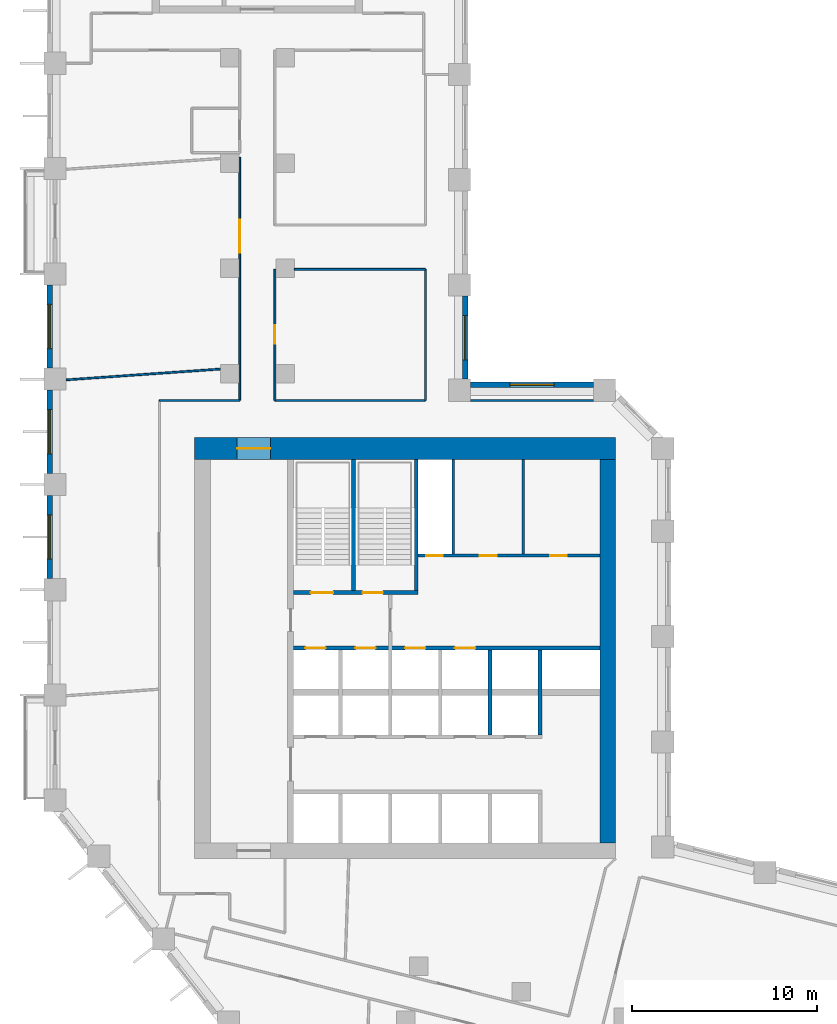
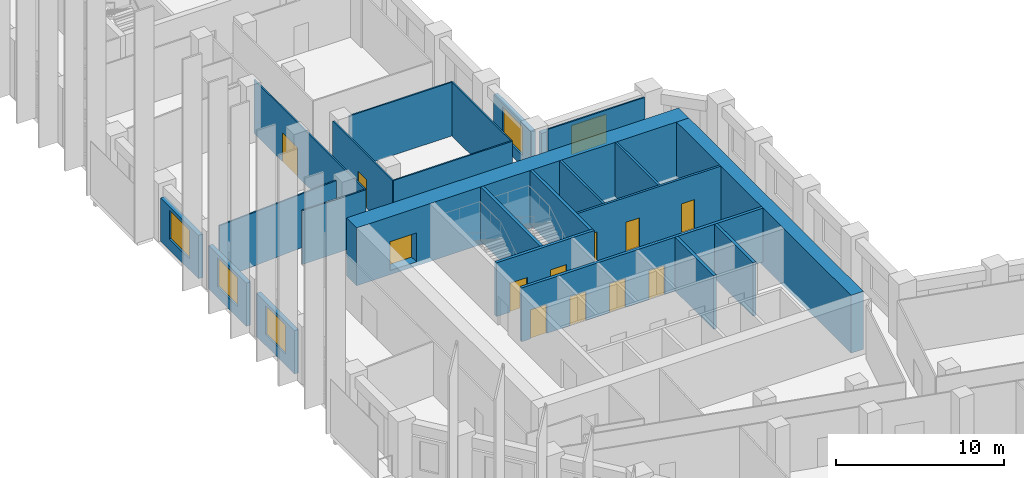
# One storey, part 5 of 10: 24 walls, 12 doors, 5 windows, 17 openings.
"""IFC4 building model written with IfcOpenShell, lengths in metres."""

from ifc_helpers import new_model, si_unit, direction, frame, frame_2d, origin, place, context, subcontext, project, spatial, rectangle, extrude, material, layer, layer_set, type_object, element, fill, save


model = new_model("IFC4")

# Units and contexts
model_context = context("Model", 3, precision=1e-05, world=origin(), true_north=direction((0.0, 1.0)))
body_context = subcontext(model_context, "Body", "Model", "MODEL_VIEW")
ifc_project = project(units=[si_unit("LENGTHUNIT", "METRE"), si_unit("AREAUNIT", "SQUARE_METRE"), si_unit("VOLUMEUNIT", "CUBIC_METRE"), si_unit("PLANEANGLEUNIT", "RADIAN"), si_unit("MASSUNIT", "GRAM", prefix="KILO")], contexts=[model_context])

# Site, building, storey
site_placement = place(None, origin())
site = spatial("IfcSite", under=ifc_project, at=site_placement, CompositionType="ELEMENT")
building_placement = place(site_placement, origin())
building = spatial("IfcBuilding", under=site, at=building_placement, Name="Meshkara Civic Tower", CompositionType="ELEMENT")
storey_placement = place(building_placement, frame((0.0, 0.0, 161.39990234375)))
storey = spatial("IfcBuildingStorey", under=building, at=storey_placement, Name="L36", CompositionType="ELEMENT", Elevation=161.39990234375)

# Wall, openings, doors
ifc_material_1 = material(Name="Blockwork", Category="masonry")
ifc_layer_1 = layer(ifc_material_1, 0.14990234375)
ifc_layer_set_1 = layer_set([ifc_layer_1], Name="Core partition 150")
wall_type_1 = type_object("IfcWallType", Name="Core partition 150", PredefinedType="PARTITIONING", material=ifc_layer_set_1)
wall_1_placement = place(storey_placement, frame((20.10009765625, 30.5, 0.0), z_axis=(0.0, 0.0, 1.0), x_axis=(1.0, 0.0, 0.0)))
wall_1 = element("IfcWall", 1, at=wall_1_placement, inside=storey, type_object=wall_type_1, Name="L36-C010", PredefinedType="PARTITIONING", context=body_context, shape_type="SweptSolid", body=[
    extrude(rectangle(XDim=9.849853515625, YDim=0.14990234375, at=frame_2d((4.9248046875, 0.0))), origin(), (0.0, 0.0, 1.0), 3.900146484375),
])
opening_1_placement = place(wall_1_placement, frame((0.449951171875, 0.0, 0.0)))
opening_1 = element("IfcOpeningElement", 2, at=opening_1_placement, cuts=wall_1, Name="Opening L36-K010", PredefinedType="OPENING", context=body_context, shape_type="SweptSolid", body=[
    extrude(rectangle(XDim=0.89990234375, YDim=2.10009765625, at=frame_2d((0.449951171875, 1.050048828125))), frame((0.0, 0.0849609375, 0.0), z_axis=(0.0, -1.0, 0.0), x_axis=(1.0, 0.0, 0.0)), (0.0, 0.0, 1.0), 0.169921875),
])
opening_2_placement = place(wall_1_placement, frame((3.35009765625, 0.0, 0.0)))
opening_2 = element("IfcOpeningElement", 3, at=opening_2_placement, cuts=wall_1, Name="Opening L36-K011", PredefinedType="OPENING", context=body_context, shape_type="SweptSolid", body=[
    extrude(rectangle(XDim=0.89990234375, YDim=2.10009765625, at=frame_2d((0.449951171875, 1.050048828125))), frame((0.0, 0.0849609375, 0.0), z_axis=(0.0, -1.0, 0.0), x_axis=(1.0, 0.0, 0.0)), (0.0, 0.0, 1.0), 0.169921875),
])
opening_3_placement = place(wall_1_placement, frame((7.14990234375, 0.0, 0.0)))
opening_3 = element("IfcOpeningElement", 4, at=opening_3_placement, cuts=wall_1, Name="Opening L36-K012", PredefinedType="OPENING", context=body_context, shape_type="SweptSolid", body=[
    extrude(rectangle(XDim=0.89990234375, YDim=2.10009765625, at=frame_2d((0.449951171875, 1.050048828125))), frame((0.0, 0.0849609375, 0.0), z_axis=(0.0, -1.0, 0.0), x_axis=(1.0, 0.0, 0.0)), (0.0, 0.0, 1.0), 0.169921875),
])
ifc_material_2 = material(Name="Timber door leaf in steel frame", Category="steel")
door_type_1 = type_object("IfcDoorType", Name="Core room door 900", OperationType="SINGLE_SWING_LEFT", PredefinedType="DOOR", material=ifc_material_2)
door_1_placement = place(opening_2_placement, origin())
door_1 = element("IfcDoor", 5, at=door_1_placement, inside=storey, type_object=door_type_1, Name="L36-K011", OperationType="SINGLE_SWING_RIGHT", OverallHeight=2.10009765625, OverallWidth=0.89990234375, PredefinedType="DOOR", context=body_context, shape_type="SweptSolid", body=[
    extrude(rectangle(XDim=0.89990234375, YDim=2.10009765625, at=frame_2d((0.449951171875, 1.050048828125))), frame((0.0, 0.02490234375, 0.0), z_axis=(0.0, -1.0, 0.0), x_axis=(1.0, 0.0, 0.0)), (0.0, 0.0, 1.0), 0.050048828125),
])
fill(opening_2, door_1)
ifc_material_3 = material(Name="Fire-rated door leaf in steel frame", Category="steel")
door_type_2 = type_object("IfcDoorType", Name="Riser door 900", OperationType="SINGLE_SWING_LEFT", PredefinedType="DOOR", material=ifc_material_3)
door_2_placement = place(opening_1_placement, origin())
door_2 = element("IfcDoor", 6, at=door_2_placement, inside=storey, type_object=door_type_2, Name="L36-K010", OperationType="SINGLE_SWING_RIGHT", OverallHeight=2.10009765625, OverallWidth=0.89990234375, PredefinedType="DOOR", context=body_context, shape_type="SweptSolid", body=[
    extrude(rectangle(XDim=0.89990234375, YDim=2.10009765625, at=frame_2d((0.449951171875, 1.050048828125))), frame((0.0, 0.02490234375, 0.0), z_axis=(0.0, -1.0, 0.0), x_axis=(1.0, 0.0, 0.0)), (0.0, 0.0, 1.0), 0.050048828125),
])
fill(opening_1, door_2)
ifc_material_4 = material(Name="Timber door leaf in steel frame", Category="steel")
door_type_3 = type_object("IfcDoorType", Name="WC door 900", OperationType="SINGLE_SWING_LEFT", PredefinedType="DOOR", material=ifc_material_4)
door_3_placement = place(opening_3_placement, origin())
door_3 = element("IfcDoor", 7, at=door_3_placement, inside=storey, type_object=door_type_3, Name="L36-K012", OperationType="SINGLE_SWING_LEFT", OverallHeight=2.10009765625, OverallWidth=0.89990234375, PredefinedType="DOOR", context=body_context, shape_type="SweptSolid", body=[
    extrude(rectangle(XDim=0.89990234375, YDim=2.10009765625, at=frame_2d((0.449951171875, 1.050048828125))), frame((0.0, 0.02490234375, 0.0), z_axis=(0.0, -1.0, 0.0), x_axis=(1.0, 0.0, 0.0)), (0.0, 0.0, 1.0), 0.050048828125),
])
fill(opening_3, door_3)

# Walls
for number, where, z_axis, x_axis, name in (
    (8, (22.0, 30.574951171875, 0.0), (0.0, 0.0, 1.0), (0.0, 1.0, 0.0), "L36-C020"),
    (9, (25.800048828125, 30.574951171875, 0.0), (0.0, 0.0, 1.0), (0.0, 1.0, 0.0), "L36-C023"),
):
    element("IfcWall", number, at=place(storey_placement, frame(where, z_axis=z_axis, x_axis=x_axis)), inside=storey, type_object=wall_type_1, Name=name, PredefinedType="PARTITIONING", context=body_context, shape_type="SweptSolid", body=[
        extrude(rectangle(XDim=5.125, YDim=0.14990234375, at=frame_2d((2.5625, 0.0))), origin(), (0.0, 0.0, 1.0), 3.900146484375),
    ])

# Wall, opening, door
ifc_material_5 = material(Name="Concrete C70", Category="concrete")
ifc_layer_2 = layer(ifc_material_5, 1.199951171875)
ifc_layer_set_2 = layer_set([ifc_layer_2], Name="Core ring wall 1200 C70")
wall_type_2 = type_object("IfcWallType", Name="Core ring wall 1200 C70", PredefinedType="SHEAR", material=ifc_layer_set_2)
wall_2_placement = place(storey_placement, frame((8.0, 36.300048828125, -0.2998046875), z_axis=(0.0, 0.0, 1.0), x_axis=(1.0, 0.0, 0.0)))
wall_2 = element("IfcWall", 10, at=wall_2_placement, inside=storey, type_object=wall_type_2, Name="L36-C002", PredefinedType="SHEAR", context=body_context, shape_type="SweptSolid", body=[
    extrude(rectangle(XDim=22.800048828125, YDim=1.199951171875, at=frame_2d((11.39990234375, 0.0))), origin(), (0.0, 0.0, 1.0), 4.199951171875),
])
opening_4_placement = place(wall_2_placement, frame((2.300048828125, 0.0, 0.300048828125)))
opening_4 = element("IfcOpeningElement", 11, at=opening_4_placement, cuts=wall_2, Name="Opening L36-K018", PredefinedType="OPENING", context=body_context, shape_type="SweptSolid", body=[
    extrude(rectangle(XDim=1.800048828125, YDim=2.10009765625, at=frame_2d((0.89990234375, 1.050048828125))), frame((0.0, 0.60986328125, 0.0), z_axis=(0.0, -1.0, 0.0), x_axis=(1.0, 0.0, 0.0)), (0.0, 0.0, 1.0), 1.219970703125),
])
ifc_material_6 = material(Name="Fire-rated door leaf in steel frame", Category="steel")
door_type_4 = type_object("IfcDoorType", Name="Core double door 1800 EI 60", OperationType="DOUBLE_DOOR_SINGLE_SWING", PredefinedType="DOOR", material=ifc_material_6)
door_4_placement = place(opening_4_placement, origin())
door_4 = element("IfcDoor", 12, at=door_4_placement, inside=storey, type_object=door_type_4, Name="L36-K018", OperationType="DOUBLE_DOOR_SINGLE_SWING", OverallHeight=2.10009765625, OverallWidth=1.800048828125, PredefinedType="DOOR", context=body_context, shape_type="SweptSolid", body=[
    extrude(rectangle(XDim=1.800048828125, YDim=2.10009765625, at=frame_2d((0.89990234375, 1.050048828125))), frame((0.0, 0.02490234375, 0.0), z_axis=(0.0, -1.0, 0.0), x_axis=(1.0, 0.0, 0.0)), (0.0, 0.0, 1.0), 0.050048828125),
])
fill(opening_4, door_4)

# Wall
ifc_material_7 = material(Name="Concrete C70", Category="concrete")
ifc_layer_3 = layer(ifc_material_7, 0.85009765625)
ifc_layer_set_3 = layer_set([ifc_layer_3], Name="Core ring wall 850 C70")
wall_type_3 = type_object("IfcWallType", Name="Core ring wall 850 C70", PredefinedType="SHEAR", material=ifc_layer_set_3)
wall_3_placement = place(storey_placement, frame((30.375, 14.949951171875, -0.2998046875), z_axis=(0.0, 0.0, 1.0), x_axis=(0.0, 1.0, 0.0)))
element("IfcWall", 13, at=wall_3_placement, inside=storey, type_object=wall_type_3, Name="L36-C004", PredefinedType="SHEAR", context=body_context, shape_type="SweptSolid", body=[
    extrude(rectangle(XDim=20.75, YDim=0.85009765625, at=frame_2d((10.375, 0.0))), origin(), (0.0, 0.0, 1.0), 4.199951171875),
])

# Wall, opening, door
ifc_material_8 = material(Name="Corridor wall 100")
ifc_layer_4 = layer(ifc_material_8, 0.10009765625)
ifc_layer_set_4 = layer_set([ifc_layer_4], Name="Corridor wall 100")
wall_type_4 = type_object("IfcWallType", Name="Corridor wall 100", PredefinedType="PARTITIONING", material=ifc_layer_set_4)
wall_4_placement = place(storey_placement, frame((10.449951171875, 38.89990234375, 0.0), z_axis=(0.0, 0.0, 1.0), x_axis=(0.0, 1.0, 0.0)))
wall_4 = element("IfcWall", 14, at=wall_4_placement, inside=storey, type_object=wall_type_4, Name="L36-W011", PredefinedType="PARTITIONING", context=body_context, shape_type="SweptSolid", body=[
    extrude(rectangle(XDim=13.174072265625, YDim=0.10009765625, at=frame_2d((6.5869140625, 0.0))), origin(), (0.0, 0.0, 1.0), 3.900146484375),
])
opening_5_placement = place(wall_4_placement, frame((7.993896484375, 0.0, 0.0)))
opening_5 = element("IfcOpeningElement", 15, at=opening_5_placement, cuts=wall_4, Name="Opening L36-D017", PredefinedType="OPENING", context=body_context, shape_type="SweptSolid", body=[
    extrude(rectangle(XDim=1.800048828125, YDim=2.10009765625, at=frame_2d((0.89990234375, 1.050048828125))), frame((0.0, 0.06005859375, 0.0), z_axis=(0.0, -1.0, 0.0), x_axis=(1.0, 0.0, 0.0)), (0.0, 0.0, 1.0), 0.1201171875),
])
ifc_material_9 = material(Name="Door pair 1800 x 2100")
door_type_5 = type_object("IfcDoorType", Name="Door pair 1800 x 2100", OperationType="SINGLE_SWING_LEFT", PredefinedType="DOOR", material=ifc_material_9)
door_5_placement = place(opening_5_placement, origin())
door_5 = element("IfcDoor", 16, at=door_5_placement, inside=storey, type_object=door_type_5, Name="L36-D017", OperationType="DOUBLE_DOOR_SINGLE_SWING", OverallHeight=2.10009765625, OverallWidth=1.800048828125, PredefinedType="DOOR", context=body_context, shape_type="SweptSolid", body=[
    extrude(rectangle(XDim=1.800048828125, YDim=2.10009765625, at=frame_2d((0.89990234375, 1.050048828125))), frame((0.0, 0.02490234375, 0.0), z_axis=(0.0, -1.0, 0.0), x_axis=(1.0, 0.0, 0.0)), (0.0, 0.0, 1.0), 0.050048828125),
])
fill(opening_5, door_5)

# Wall
wall_5_placement = place(storey_placement, frame((10.449951171875, 38.89990234375, 0.0), z_axis=(0.0, 0.0, 1.0), x_axis=(-1.0, 0.0, 0.0)))
element("IfcWall", 17, at=wall_5_placement, inside=storey, type_object=wall_type_4, Name="L36-W012", PredefinedType="PARTITIONING", context=body_context, shape_type="SweptSolid", body=[
    extrude(rectangle(XDim=4.349853515625, YDim=0.10009765625, at=frame_2d((2.1748046875, 0.0))), origin(), (0.0, 0.0, 1.0), 3.900146484375),
])

# Wall, opening, door
wall_6_placement = place(storey_placement, frame((12.35009765625, 38.89990234375, 0.0), z_axis=(0.0, 0.0, 1.0), x_axis=(0.0, 1.0, 0.0)))
wall_6 = element("IfcWall", 18, at=wall_6_placement, inside=storey, type_object=wall_type_4, Name="L36-W014", PredefinedType="PARTITIONING", context=body_context, shape_type="SweptSolid", body=[
    extrude(rectangle(XDim=7.09619140625, YDim=0.10009765625, at=frame_2d((3.548095703125, 0.0))), origin(), (0.0, 0.0, 1.0), 3.900146484375),
])
opening_6_placement = place(wall_6_placement, frame((3.080078125, 0.0, 0.0)))
opening_6 = element("IfcOpeningElement", 19, at=opening_6_placement, cuts=wall_6, Name="Opening L36-D018", PredefinedType="OPENING", context=body_context, shape_type="SweptSolid", body=[
    extrude(rectangle(XDim=1.0, YDim=2.10009765625, at=frame_2d((0.5, 1.050048828125))), frame((0.0, 0.06005859375, 0.0), z_axis=(0.0, -1.0, 0.0), x_axis=(1.0, 0.0, 0.0)), (0.0, 0.0, 1.0), 0.1201171875),
])
ifc_material_10 = material(Name="Door 1000 x 2100")
door_type_6 = type_object("IfcDoorType", Name="Door 1000 x 2100", OperationType="SINGLE_SWING_LEFT", PredefinedType="DOOR", material=ifc_material_10)
door_6_placement = place(opening_6_placement, origin())
door_6 = element("IfcDoor", 20, at=door_6_placement, inside=storey, type_object=door_type_6, Name="L36-D018", OperationType="SINGLE_SWING_LEFT", OverallHeight=2.10009765625, OverallWidth=1.0, PredefinedType="DOOR", context=body_context, shape_type="SweptSolid", body=[
    extrude(rectangle(XDim=1.0, YDim=2.10009765625, at=frame_2d((0.5, 1.050048828125))), frame((0.0, 0.02490234375, 0.0), z_axis=(0.0, -1.0, 0.0), x_axis=(1.0, 0.0, 0.0)), (0.0, 0.0, 1.0), 0.050048828125),
])
fill(opening_6, door_6)

# Walls
wall_7_placement = place(storey_placement, frame((13.39990234375, 46.0, 0.0), z_axis=(0.0, 0.0, 1.0), x_axis=(1.0, 0.0, 0.0)))
element("IfcWall", 21, at=wall_7_placement, inside=storey, type_object=wall_type_4, Name="L36-W017", PredefinedType="PARTITIONING", context=body_context, shape_type="SweptSolid", body=[
    extrude(rectangle(XDim=7.10009765625, YDim=0.10009765625, at=frame_2d((3.550048828125, 0.0))), origin(), (0.0, 0.0, 1.0), 3.900146484375),
])
wall_8_placement = place(storey_placement, frame((20.5, 38.89990234375, 0.0), z_axis=(0.0, 0.0, 1.0), x_axis=(-1.0, 0.0, 0.0)))
element("IfcWall", 22, at=wall_8_placement, inside=storey, type_object=wall_type_4, Name="L36-W021", PredefinedType="PARTITIONING", context=body_context, shape_type="SweptSolid", body=[
    extrude(rectangle(XDim=8.14990234375, YDim=0.10009765625, at=frame_2d((4.074951171875, 0.0))), origin(), (0.0, 0.0, 1.0), 3.900146484375),
])
wall_9_placement = place(storey_placement, frame((20.5, 46.0, 0.0), z_axis=(0.0, 0.0, 1.0), x_axis=(0.0, -1.0, 0.0)))
element("IfcWall", 23, at=wall_9_placement, inside=storey, type_object=wall_type_4, Name="L36-W022", PredefinedType="PARTITIONING", context=body_context, shape_type="SweptSolid", body=[
    extrude(rectangle(XDim=7.10009765625, YDim=0.10009765625, at=frame_2d((3.550048828125, 0.0))), origin(), (0.0, 0.0, 1.0), 3.900146484375),
])
wall_10_placement = place(storey_placement, frame((29.593994140625, 38.89990234375, 0.0), z_axis=(0.0, 0.0, 1.0), x_axis=(-1.0, 0.0, 0.0)))
element("IfcWall", 24, at=wall_10_placement, inside=storey, type_object=wall_type_4, Name="L36-W026", PredefinedType="PARTITIONING", context=body_context, shape_type="SweptSolid", body=[
    extrude(rectangle(XDim=6.64404296875, YDim=0.10009765625, at=frame_2d((3.322021484375, 0.0))), origin(), (0.0, 0.0, 1.0), 3.900146484375),
])

# Wall, opening, window
ifc_material_11 = material(Name="Insulated infill panel with bronze anodised aluminium cladding", Category="aluminium")
ifc_layer_5 = layer(ifc_material_11, 0.300048828125)
ifc_layer_set_5 = layer_set([ifc_layer_5], Name="EXTERNAL INFILL WALL 300")
wall_type_5 = type_object("IfcWallType", Name="EXTERNAL INFILL WALL 300", PredefinedType="SOLIDWALL", material=ifc_layer_set_5)
wall_11_placement = place(storey_placement, frame((29.593994140625, 39.75, 0.0), z_axis=(0.0, 0.0, 1.0), x_axis=(-1.0, 0.0, 0.0)))
wall_11 = element("IfcWall", 25, at=wall_11_placement, inside=storey, type_object=wall_type_5, Name="External wall", PredefinedType="SOLIDWALL", context=body_context, shape_type="SweptSolid", body=[
    extrude(rectangle(XDim=6.64404296875, YDim=0.300048828125, at=frame_2d((3.322021484375, 0.0))), origin(), (0.0, 0.0, 1.0), 3.150146484375),
])
opening_7_placement = place(wall_11_placement, frame((2.1220703125, 0.0, 0.800048828125)))
opening_7 = element("IfcOpeningElement", 26, at=opening_7_placement, cuts=wall_11, Name="Opening W7", PredefinedType="OPENING", context=body_context, shape_type="SweptSolid", body=[
    extrude(rectangle(XDim=2.39990234375, YDim=2.10009765625, at=frame_2d((1.199951171875, 1.050048828125))), frame((0.0, 0.159912109375, 0.0), z_axis=(0.0, -1.0, 0.0), x_axis=(1.0, 0.0, 0.0)), (0.0, 0.0, 1.0), 0.320068359375),
])
ifc_material_12 = material(Name="Tinted double glazing", Category="glass")
window_type = type_object("IfcWindowType", Name="WINDOW 2400x2100", PartitioningType="DOUBLE_PANEL_VERTICAL", PredefinedType="WINDOW", material=ifc_material_12)
window_1_placement = place(opening_7_placement, origin())
window_1 = element("IfcWindow", 27, at=window_1_placement, inside=storey, type_object=window_type, Name="Window", OverallHeight=2.10009765625, OverallWidth=2.39990234375, PartitioningType="DOUBLE_PANEL_VERTICAL", PredefinedType="WINDOW", context=body_context, shape_type="SweptSolid", body=[
    extrude(rectangle(XDim=2.39990234375, YDim=2.10009765625, at=frame_2d((1.199951171875, 1.050048828125))), frame((0.0, 0.030029296875, 0.0), z_axis=(0.0, -1.0, 0.0), x_axis=(1.0, 0.0, 0.0)), (0.0, 0.0, 1.0), 0.06005859375),
])
fill(opening_7, window_1)

wall_12_placement = place(storey_placement, frame((22.64990234375, 40.050048828125, 0.0), z_axis=(0.0, 0.0, 1.0), x_axis=(0.0, 1.0, 0.0)))
wall_12 = element("IfcWall", 28, at=wall_12_placement, inside=storey, type_object=wall_type_5, Name="External wall", PredefinedType="SOLIDWALL", context=body_context, shape_type="SweptSolid", body=[
    extrude(rectangle(XDim=4.5, YDim=0.300048828125, at=frame_2d((2.25, 0.0))), origin(), (0.0, 0.0, 1.0), 3.150146484375),
])
opening_8_placement = place(wall_12_placement, frame((1.050048828125, 0.0, 0.800048828125)))
opening_8 = element("IfcOpeningElement", 29, at=opening_8_placement, cuts=wall_12, Name="Opening W7", PredefinedType="OPENING", context=body_context, shape_type="SweptSolid", body=[
    extrude(rectangle(XDim=2.39990234375, YDim=2.10009765625, at=frame_2d((1.199951171875, 1.050048828125))), frame((0.0, 0.159912109375, 0.0), z_axis=(0.0, -1.0, 0.0), x_axis=(1.0, 0.0, 0.0)), (0.0, 0.0, 1.0), 0.320068359375),
])
window_2_placement = place(opening_8_placement, origin())
window_2 = element("IfcWindow", 30, at=window_2_placement, inside=storey, type_object=window_type, Name="Window", OverallHeight=2.10009765625, OverallWidth=2.39990234375, PartitioningType="DOUBLE_PANEL_VERTICAL", PredefinedType="WINDOW", context=body_context, shape_type="SweptSolid", body=[
    extrude(rectangle(XDim=2.39990234375, YDim=2.10009765625, at=frame_2d((1.199951171875, 1.050048828125))), frame((0.0, 0.030029296875, 0.0), z_axis=(0.0, -1.0, 0.0), x_axis=(1.0, 0.0, 0.0)), (0.0, 0.0, 1.0), 0.06005859375),
])
fill(opening_8, window_2)

wall_13_placement = place(storey_placement, frame((0.14990234375, 45.155029296875, 0.0), z_axis=(0.0, 0.0, 1.0), x_axis=(0.0, -1.0, 0.0)))
wall_13 = element("IfcWall", 31, at=wall_13_placement, inside=storey, type_object=wall_type_5, Name="External wall", PredefinedType="SOLIDWALL", context=body_context, shape_type="SweptSolid", body=[
    extrude(rectangle(XDim=4.5, YDim=0.300048828125, at=frame_2d((2.25, 0.0))), origin(), (0.0, 0.0, 1.0), 3.150146484375),
])
opening_9_placement = place(wall_13_placement, frame((1.050048828125, 0.0, 0.800048828125)))
opening_9 = element("IfcOpeningElement", 32, at=opening_9_placement, cuts=wall_13, Name="Opening W7", PredefinedType="OPENING", context=body_context, shape_type="SweptSolid", body=[
    extrude(rectangle(XDim=2.39990234375, YDim=2.10009765625, at=frame_2d((1.199951171875, 1.050048828125))), frame((0.0, 0.159912109375, 0.0), z_axis=(0.0, -1.0, 0.0), x_axis=(1.0, 0.0, 0.0)), (0.0, 0.0, 1.0), 0.320068359375),
])
window_3_placement = place(opening_9_placement, origin())
window_3 = element("IfcWindow", 33, at=window_3_placement, inside=storey, type_object=window_type, Name="Window", OverallHeight=2.10009765625, OverallWidth=2.39990234375, PartitioningType="DOUBLE_PANEL_VERTICAL", PredefinedType="WINDOW", context=body_context, shape_type="SweptSolid", body=[
    extrude(rectangle(XDim=2.39990234375, YDim=2.10009765625, at=frame_2d((1.199951171875, 1.050048828125))), frame((0.0, 0.030029296875, 0.0), z_axis=(0.0, -1.0, 0.0), x_axis=(1.0, 0.0, 0.0)), (0.0, 0.0, 1.0), 0.06005859375),
])
fill(opening_9, window_3)

wall_14_placement = place(storey_placement, frame((0.14990234375, 39.455078125, 0.0), z_axis=(0.0, 0.0, 1.0), x_axis=(0.0, -1.0, 0.0)))
wall_14 = element("IfcWall", 34, at=wall_14_placement, inside=storey, type_object=wall_type_5, Name="External wall", PredefinedType="SOLIDWALL", context=body_context, shape_type="SweptSolid", body=[
    extrude(rectangle(XDim=4.5, YDim=0.300048828125, at=frame_2d((2.25, 0.0))), origin(), (0.0, 0.0, 1.0), 3.150146484375),
])
opening_10_placement = place(wall_14_placement, frame((1.050048828125, 0.0, 0.800048828125)))
opening_10 = element("IfcOpeningElement", 35, at=opening_10_placement, cuts=wall_14, Name="Opening W7", PredefinedType="OPENING", context=body_context, shape_type="SweptSolid", body=[
    extrude(rectangle(XDim=2.39990234375, YDim=2.10009765625, at=frame_2d((1.199951171875, 1.050048828125))), frame((0.0, 0.159912109375, 0.0), z_axis=(0.0, -1.0, 0.0), x_axis=(1.0, 0.0, 0.0)), (0.0, 0.0, 1.0), 0.320068359375),
])
window_4_placement = place(opening_10_placement, origin())
window_4 = element("IfcWindow", 36, at=window_4_placement, inside=storey, type_object=window_type, Name="Window", OverallHeight=2.10009765625, OverallWidth=2.39990234375, PartitioningType="DOUBLE_PANEL_VERTICAL", PredefinedType="WINDOW", context=body_context, shape_type="SweptSolid", body=[
    extrude(rectangle(XDim=2.39990234375, YDim=2.10009765625, at=frame_2d((1.199951171875, 1.050048828125))), frame((0.0, 0.030029296875, 0.0), z_axis=(0.0, -1.0, 0.0), x_axis=(1.0, 0.0, 0.0)), (0.0, 0.0, 1.0), 0.06005859375),
])
fill(opening_10, window_4)

wall_15_placement = place(storey_placement, frame((0.14990234375, 33.7548828125, 0.0), z_axis=(0.0, 0.0, 1.0), x_axis=(0.0, -1.0, 0.0)))
wall_15 = element("IfcWall", 37, at=wall_15_placement, inside=storey, type_object=wall_type_5, Name="External wall", PredefinedType="SOLIDWALL", context=body_context, shape_type="SweptSolid", body=[
    extrude(rectangle(XDim=4.5, YDim=0.300048828125, at=frame_2d((2.25, 0.0))), origin(), (0.0, 0.0, 1.0), 3.150146484375),
])
opening_11_placement = place(wall_15_placement, frame((1.050048828125, 0.0, 0.800048828125)))
opening_11 = element("IfcOpeningElement", 38, at=opening_11_placement, cuts=wall_15, Name="Opening W7", PredefinedType="OPENING", context=body_context, shape_type="SweptSolid", body=[
    extrude(rectangle(XDim=2.39990234375, YDim=2.10009765625, at=frame_2d((1.199951171875, 1.050048828125))), frame((0.0, 0.159912109375, 0.0), z_axis=(0.0, -1.0, 0.0), x_axis=(1.0, 0.0, 0.0)), (0.0, 0.0, 1.0), 0.320068359375),
])
window_5_placement = place(opening_11_placement, origin())
window_5 = element("IfcWindow", 39, at=window_5_placement, inside=storey, type_object=window_type, Name="Window", OverallHeight=2.10009765625, OverallWidth=2.39990234375, PartitioningType="DOUBLE_PANEL_VERTICAL", PredefinedType="WINDOW", context=body_context, shape_type="SweptSolid", body=[
    extrude(rectangle(XDim=2.39990234375, YDim=2.10009765625, at=frame_2d((1.199951171875, 1.050048828125))), frame((0.0, 0.030029296875, 0.0), z_axis=(0.0, -1.0, 0.0), x_axis=(1.0, 0.0, 0.0)), (0.0, 0.0, 1.0), 0.06005859375),
])
fill(opening_11, window_5)

# Wall
ifc_material_13 = material(Name="Partition 100")
ifc_layer_6 = layer(ifc_material_13, 0.10009765625)
ifc_layer_set_6 = layer_set([ifc_layer_6], Name="Partition 100")
wall_type_6 = type_object("IfcWallType", Name="Partition 100", PredefinedType="PARTITIONING", material=ifc_layer_set_6)
wall_16_placement = place(storey_placement, frame((9.39990234375, 40.60107421875, 0.0), z_axis=(0.0, 0.0, 1.0), x_axis=(-0.997555044264, -0.069885146225, 0.0)))
element("IfcWall", 40, at=wall_16_placement, inside=storey, type_object=wall_type_6, Name="L36-W046", PredefinedType="PARTITIONING", context=body_context, shape_type="SweptSolid", body=[
    extrude(rectangle(XDim=8.370361328125, YDim=0.10009765625, at=frame_2d((4.18505859375, 0.0))), origin(), (0.0, 0.0, 1.0), 3.900146484375),
])

# Wall, openings, doors
ifc_material_14 = material(Name="Concrete C40/50", Category="concrete")
ifc_layer_7 = layer(ifc_material_14, 0.199951171875)
ifc_layer_set_7 = layer_set([ifc_layer_7], Name="Shaft wall 200 C40/50")
wall_type_7 = type_object("IfcWallType", Name="Shaft wall 200 C40/50", PredefinedType="SOLIDWALL", material=ifc_layer_set_7)
wall_17_placement = place(storey_placement, frame((13.3701171875, 25.5, 0.0), z_axis=(0.0, 0.0, 1.0), x_axis=(1.0, 0.0, 0.0)))
wall_17 = element("IfcWall", 41, at=wall_17_placement, inside=storey, type_object=wall_type_7, Name="L36-C008", PredefinedType="SOLIDWALL", context=body_context, shape_type="SweptSolid", body=[
    extrude(rectangle(XDim=16.579833984375, YDim=0.199951171875, at=frame_2d((8.2900390625, 0.0))), origin(), (0.0, 0.0, 1.0), 3.900146484375),
])
opening_12_placement = place(wall_17_placement, frame((0.6298828125, 0.0, 0.0)))
opening_12 = element("IfcOpeningElement", 42, at=opening_12_placement, cuts=wall_17, Name="Opening L36-K006", PredefinedType="OPENING", context=body_context, shape_type="SweptSolid", body=[
    extrude(rectangle(XDim=1.10009765625, YDim=2.10009765625, at=frame_2d((0.550048828125, 1.050048828125))), frame((0.0, 0.10986328125, 0.0), z_axis=(0.0, -1.0, 0.0), x_axis=(1.0, 0.0, 0.0)), (0.0, 0.0, 1.0), 0.219970703125),
])
opening_13_placement = place(wall_17_placement, frame((3.330078125, 0.0, 0.0)))
opening_13 = element("IfcOpeningElement", 43, at=opening_13_placement, cuts=wall_17, Name="Opening L36-K007", PredefinedType="OPENING", context=body_context, shape_type="SweptSolid", body=[
    extrude(rectangle(XDim=1.10009765625, YDim=2.10009765625, at=frame_2d((0.550048828125, 1.050048828125))), frame((0.0, 0.10986328125, 0.0), z_axis=(0.0, -1.0, 0.0), x_axis=(1.0, 0.0, 0.0)), (0.0, 0.0, 1.0), 0.219970703125),
])
opening_14_placement = place(wall_17_placement, frame((6.030029296875, 0.0, 0.0)))
opening_14 = element("IfcOpeningElement", 44, at=opening_14_placement, cuts=wall_17, Name="Opening L36-K008", PredefinedType="OPENING", context=body_context, shape_type="SweptSolid", body=[
    extrude(rectangle(XDim=1.10009765625, YDim=2.10009765625, at=frame_2d((0.550048828125, 1.050048828125))), frame((0.0, 0.10986328125, 0.0), z_axis=(0.0, -1.0, 0.0), x_axis=(1.0, 0.0, 0.0)), (0.0, 0.0, 1.0), 0.219970703125),
])
opening_15_placement = place(wall_17_placement, frame((8.72998046875, 0.0, 0.0)))
opening_15 = element("IfcOpeningElement", 45, at=opening_15_placement, cuts=wall_17, Name="Opening L36-K009", PredefinedType="OPENING", context=body_context, shape_type="SweptSolid", body=[
    extrude(rectangle(XDim=1.10009765625, YDim=2.10009765625, at=frame_2d((0.550048828125, 1.050048828125))), frame((0.0, 0.10986328125, 0.0), z_axis=(0.0, -1.0, 0.0), x_axis=(1.0, 0.0, 0.0)), (0.0, 0.0, 1.0), 0.219970703125),
])
ifc_material_15 = material(Name="Stainless steel landing door", Category="steel")
door_type_7 = type_object("IfcDoorType", Name="Lift landing door 1100", OperationType="SLIDING_TO_LEFT", PredefinedType="DOOR", material=ifc_material_15)
door_7_placement = place(opening_12_placement, origin())
door_7 = element("IfcDoor", 46, at=door_7_placement, inside=storey, type_object=door_type_7, Name="L36-K006", OperationType="SLIDING_TO_LEFT", OverallHeight=2.10009765625, OverallWidth=1.10009765625, PredefinedType="DOOR", context=body_context, shape_type="SweptSolid", body=[
    extrude(rectangle(XDim=1.10009765625, YDim=2.10009765625, at=frame_2d((0.550048828125, 1.050048828125))), frame((0.0, 0.02490234375, 0.0), z_axis=(0.0, -1.0, 0.0), x_axis=(1.0, 0.0, 0.0)), (0.0, 0.0, 1.0), 0.050048828125),
])
fill(opening_12, door_7)
door_8_placement = place(opening_13_placement, origin())
door_8 = element("IfcDoor", 47, at=door_8_placement, inside=storey, type_object=door_type_7, Name="L36-K007", OperationType="SLIDING_TO_LEFT", OverallHeight=2.10009765625, OverallWidth=1.10009765625, PredefinedType="DOOR", context=body_context, shape_type="SweptSolid", body=[
    extrude(rectangle(XDim=1.10009765625, YDim=2.10009765625, at=frame_2d((0.550048828125, 1.050048828125))), frame((0.0, 0.02490234375, 0.0), z_axis=(0.0, -1.0, 0.0), x_axis=(1.0, 0.0, 0.0)), (0.0, 0.0, 1.0), 0.050048828125),
])
fill(opening_13, door_8)
door_9_placement = place(opening_14_placement, origin())
door_9 = element("IfcDoor", 48, at=door_9_placement, inside=storey, type_object=door_type_7, Name="L36-K008", OperationType="SLIDING_TO_LEFT", OverallHeight=2.10009765625, OverallWidth=1.10009765625, PredefinedType="DOOR", context=body_context, shape_type="SweptSolid", body=[
    extrude(rectangle(XDim=1.10009765625, YDim=2.10009765625, at=frame_2d((0.550048828125, 1.050048828125))), frame((0.0, 0.02490234375, 0.0), z_axis=(0.0, -1.0, 0.0), x_axis=(1.0, 0.0, 0.0)), (0.0, 0.0, 1.0), 0.050048828125),
])
fill(opening_14, door_9)
door_10_placement = place(opening_15_placement, origin())
door_10 = element("IfcDoor", 49, at=door_10_placement, inside=storey, type_object=door_type_7, Name="L36-K009", OperationType="SLIDING_TO_LEFT", OverallHeight=2.10009765625, OverallWidth=1.10009765625, PredefinedType="DOOR", context=body_context, shape_type="SweptSolid", body=[
    extrude(rectangle(XDim=1.10009765625, YDim=2.10009765625, at=frame_2d((0.550048828125, 1.050048828125))), frame((0.0, 0.02490234375, 0.0), z_axis=(0.0, -1.0, 0.0), x_axis=(1.0, 0.0, 0.0)), (0.0, 0.0, 1.0), 0.050048828125),
])
fill(opening_15, door_10)

# Walls
for number, where, z_axis, x_axis, name in (
    (50, (24.0, 20.800048828125, 0.0), (0.0, 0.0, 1.0), (0.0, 1.0, 0.0), "L36-C022"),
    (51, (26.699951171875, 20.800048828125, 0.0), (0.0, 0.0, 1.0), (0.0, 1.0, 0.0), "L36-C025"),
):
    element("IfcWall", number, at=place(storey_placement, frame(where, z_axis=z_axis, x_axis=x_axis)), inside=storey, type_object=wall_type_7, Name=name, PredefinedType="SOLIDWALL", context=body_context, shape_type="SweptSolid", body=[
        extrude(rectangle(XDim=4.599853515625, YDim=0.199951171875, at=frame_2d((2.2998046875, 0.0))), origin(), (0.0, 0.0, 1.0), 3.900146484375),
    ])

# Wall, openings, doors
ifc_material_16 = material(Name="Concrete C40/50", Category="concrete")
ifc_layer_8 = layer(ifc_material_16, 0.199951171875)
ifc_layer_set_8 = layer_set([ifc_layer_8], Name="Stair enclosure wall 200 C40/50")
wall_type_8 = type_object("IfcWallType", Name="Stair enclosure wall 200 C40/50", PredefinedType="SOLIDWALL", material=ifc_layer_set_8)
wall_18_placement = place(storey_placement, frame((13.3701171875, 28.5, 0.0), z_axis=(0.0, 0.0, 1.0), x_axis=(1.0, 0.0, 0.0)))
wall_18 = element("IfcWall", 52, at=wall_18_placement, inside=storey, type_object=wall_type_8, Name="L36-C009", PredefinedType="SOLIDWALL", context=body_context, shape_type="SweptSolid", body=[
    extrude(rectangle(XDim=6.72998046875, YDim=0.199951171875, at=frame_2d((3.364990234375, 0.0))), origin(), (0.0, 0.0, 1.0), 3.900146484375),
])
opening_16_placement = place(wall_18_placement, frame((0.929931640625, 0.0, 0.0)))
opening_16 = element("IfcOpeningElement", 53, at=opening_16_placement, cuts=wall_18, Name="Opening L36-K013", PredefinedType="OPENING", context=body_context, shape_type="SweptSolid", body=[
    extrude(rectangle(XDim=1.199951171875, YDim=2.10009765625, at=frame_2d((0.60009765625, 1.050048828125))), frame((0.0, 0.10986328125, 0.0), z_axis=(0.0, -1.0, 0.0), x_axis=(1.0, 0.0, 0.0)), (0.0, 0.0, 1.0), 0.219970703125),
])
opening_17_placement = place(wall_18_placement, frame((3.72998046875, 0.0, 0.0)))
opening_17 = element("IfcOpeningElement", 54, at=opening_17_placement, cuts=wall_18, Name="Opening L36-K014", PredefinedType="OPENING", context=body_context, shape_type="SweptSolid", body=[
    extrude(rectangle(XDim=1.10009765625, YDim=2.10009765625, at=frame_2d((0.550048828125, 1.050048828125))), frame((0.0, 0.10986328125, 0.0), z_axis=(0.0, -1.0, 0.0), x_axis=(1.0, 0.0, 0.0)), (0.0, 0.0, 1.0), 0.219970703125),
])
ifc_material_17 = material(Name="Fire-rated door leaf in steel frame", Category="steel")
door_type_8 = type_object("IfcDoorType", Name="Stair door 1100 EI 120", OperationType="SINGLE_SWING_LEFT", PredefinedType="DOOR", material=ifc_material_17)
door_11_placement = place(opening_17_placement, origin())
door_11 = element("IfcDoor", 55, at=door_11_placement, inside=storey, type_object=door_type_8, Name="L36-K014", OperationType="SINGLE_SWING_LEFT", OverallHeight=2.10009765625, OverallWidth=1.10009765625, PredefinedType="DOOR", context=body_context, shape_type="SweptSolid", body=[
    extrude(rectangle(XDim=1.10009765625, YDim=2.10009765625, at=frame_2d((0.550048828125, 1.050048828125))), frame((0.0, 0.02490234375, 0.0), z_axis=(0.0, -1.0, 0.0), x_axis=(1.0, 0.0, 0.0)), (0.0, 0.0, 1.0), 0.050048828125),
])
fill(opening_17, door_11)
ifc_material_18 = material(Name="Fire-rated door leaf in steel frame", Category="steel")
door_type_9 = type_object("IfcDoorType", Name="Stair door 1200 EI 120", OperationType="SINGLE_SWING_LEFT", PredefinedType="DOOR", material=ifc_material_18)
door_12_placement = place(opening_16_placement, origin())
door_12 = element("IfcDoor", 56, at=door_12_placement, inside=storey, type_object=door_type_9, Name="L36-K013", OperationType="SINGLE_SWING_RIGHT", OverallHeight=2.10009765625, OverallWidth=1.199951171875, PredefinedType="DOOR", context=body_context, shape_type="SweptSolid", body=[
    extrude(rectangle(XDim=1.199951171875, YDim=2.10009765625, at=frame_2d((0.60009765625, 1.050048828125))), frame((0.0, 0.02490234375, 0.0), z_axis=(0.0, -1.0, 0.0), x_axis=(1.0, 0.0, 0.0)), (0.0, 0.0, 1.0), 0.050048828125),
])
fill(opening_16, door_12)

# Walls
for number, where, z_axis, x_axis, name in (
    (57, (16.60009765625, 28.60009765625, 0.0), (0.0, 0.0, 1.0), (0.0, 1.0, 0.0), "L36-C014"),
    (58, (20.0, 28.60009765625, 0.0), (0.0, 0.0, 1.0), (0.0, 1.0, 0.0), "L36-C017"),
):
    element("IfcWall", number, at=place(storey_placement, frame(where, z_axis=z_axis, x_axis=x_axis)), inside=storey, type_object=wall_type_8, Name=name, PredefinedType="SOLIDWALL", context=body_context, shape_type="SweptSolid", body=[
        extrude(rectangle(XDim=7.099853515625, YDim=0.199951171875, at=frame_2d((3.5498046875, 0.0))), origin(), (0.0, 0.0, 1.0), 3.900146484375),
    ])

save(model, "model.ifc")
